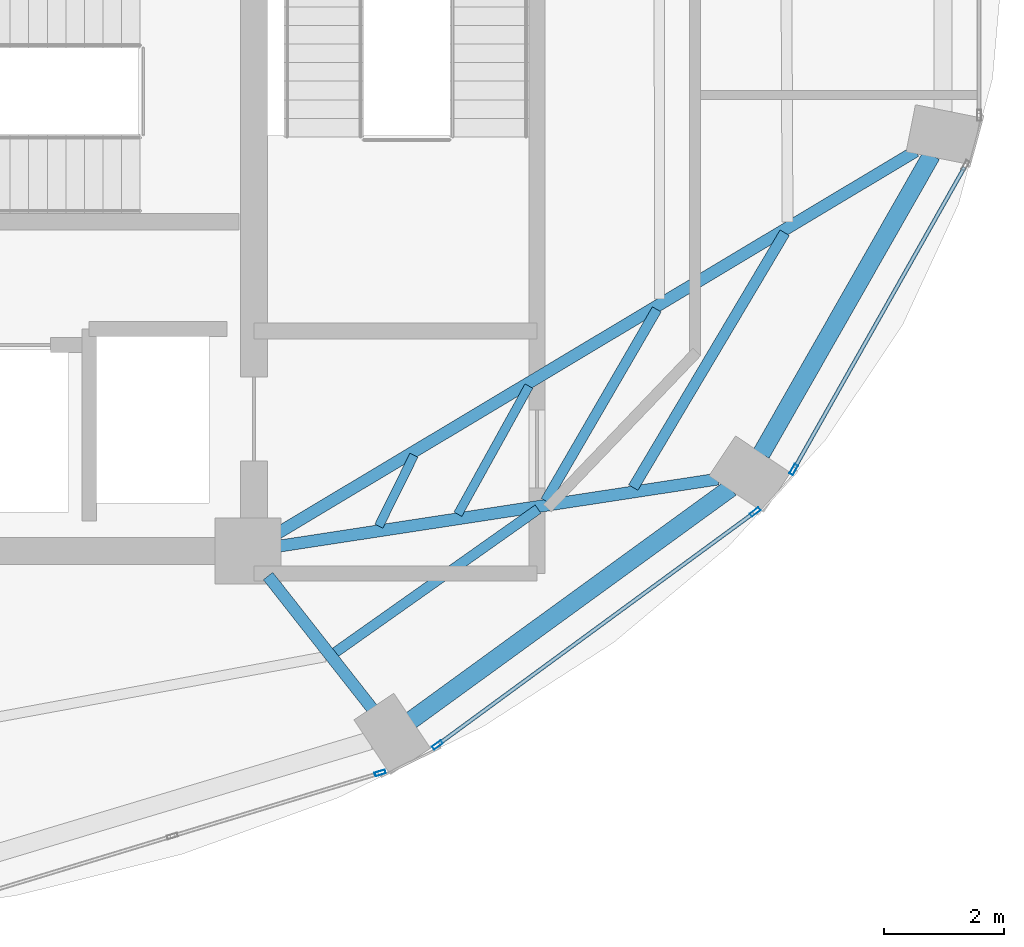
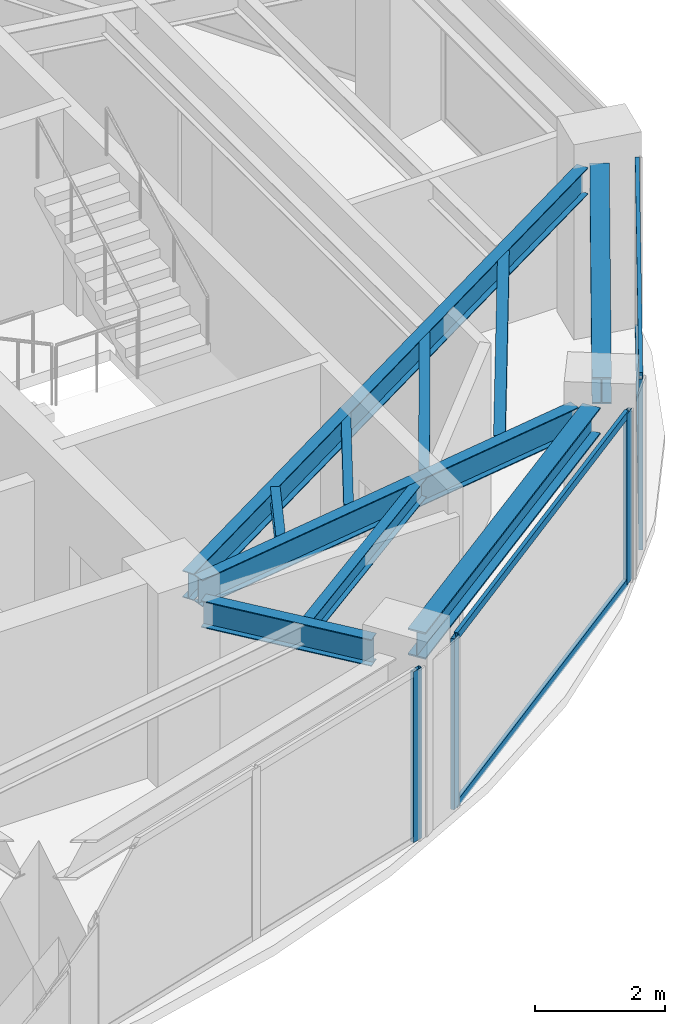
# One storey, part 13 of 22: 10 beams, 8 members, 3 elements without a shape of their own.
"""IFC4 building model written with IfcOpenShell, lengths in metres."""

from ifc_helpers import new_model, si_unit, direction, frame, origin, origin_2d, place, context, subcontext, project, spatial, hollow_rectangle, i_section, extrude, material, layer, layer_set, material_profile, profile_set, type_object, element, aggregate, save


model = new_model("IFC4")

# Units and contexts
model_context = context("Model", 3, precision=1e-05, world=origin(), true_north=direction((0.0, 1.0)))
body_context = subcontext(model_context, "Body", "Model", "MODEL_VIEW")
ifc_project = project(units=[si_unit("LENGTHUNIT", "METRE"), si_unit("AREAUNIT", "SQUARE_METRE"), si_unit("VOLUMEUNIT", "CUBIC_METRE"), si_unit("PLANEANGLEUNIT", "RADIAN"), si_unit("MASSUNIT", "GRAM", prefix="KILO")], contexts=[model_context])

# Site, building, storey
site_placement = place(None, origin())
site = spatial("IfcSite", under=ifc_project, at=site_placement, CompositionType="ELEMENT")
building_placement = place(site_placement, origin())
building = spatial("IfcBuilding", under=site, at=building_placement, Name="Lazwardi Medical Tower", CompositionType="ELEMENT")
storey_placement = place(building_placement, frame((0.0, 0.0, 242.256103515625)))
storey = spatial("IfcBuildingStorey", under=building, at=storey_placement, Name="L63", CompositionType="ELEMENT", Elevation=242.256103515625)

# Beams
ifc_material_1 = material(Name="Steel S355", Category="steel")
ifc_material_profile_1 = material_profile(ifc_material_1, i_section(OverallWidth=0.300048828125, OverallDepth=0.5, WebThickness=0.014404296875, FlangeThickness=0.028076171875, at=origin_2d()), Name="HEB 500")
ifc_profile_set_1 = profile_set([ifc_material_profile_1], Name="Steel S355")
beam_type_1 = type_object("IfcBeamType", Name="BM-RB-Z4", PredefinedType="BEAM", material=ifc_profile_set_1)
beam_1_placement = place(storey_placement, frame((48.31591796875, 17.5751953125, 2.947998046875), z_axis=(0.808889916254, 0.587960120571, 0.0), x_axis=(-0.587960120571, 0.808889916254, 0.0)))
element("IfcBeam", 1, at=beam_1_placement, inside=storey, type_object=beam_type_1, Name="Ring beam RB-05 B02 L63", PredefinedType="BEAM", context=body_context, shape_type="SweptSolid", body=[
    extrude(i_section(OverallWidth=0.300048828125, OverallDepth=0.5, WebThickness=0.014404296875, FlangeThickness=0.028076171875, at=origin_2d()), origin(), (0.0, 0.0, 1.0), 6.587158203125),
])
beam_2_placement = place(storey_placement, frame((54.15283203125, 22.016357421875, 2.947998046875), z_axis=(0.495125273299, 0.868821594886, 0.0), x_axis=(-0.868821594886, 0.495125273299, 0.0)))
element("IfcBeam", 2, at=beam_2_placement, inside=storey, type_object=beam_type_1, Name="Ring beam RB-05 B03 L63", PredefinedType="BEAM", context=body_context, shape_type="SweptSolid", body=[
    extrude(i_section(OverallWidth=0.300048828125, OverallDepth=0.5, WebThickness=0.014404296875, FlangeThickness=0.028076171875, at=origin_2d()), origin(), (0.0, 0.0, 1.0), 5.734130859375),
])
ifc_material_profile_2 = material_profile(ifc_material_1, i_section(OverallWidth=0.199951171875, OverallDepth=0.5, WebThickness=0.01025390625, FlangeThickness=0.01611328125, at=origin_2d()), Name="IPE 500")
ifc_profile_set_2 = profile_set([ifc_material_profile_2], Name="Steel S355")
beam_type_2 = type_object("IfcBeamType", Name="BM-RG-W3", PredefinedType="BEAM", material=ifc_profile_set_2)
beam_3_placement = place(storey_placement, frame((47.669677734375, 17.7666015625, 2.947998046875), z_axis=(-0.617890508382, 0.786264153864, 0.0), x_axis=(-0.786264153864, -0.617890508382, 0.0)))
element("IfcBeam", 3, at=beam_3_placement, inside=storey, type_object=beam_type_2, Name="Radial girder RG-04 R02 L63", PredefinedType="BEAM", context=body_context, shape_type="SweptSolid", body=[
    extrude(i_section(OverallWidth=0.199951171875, OverallDepth=0.5, WebThickness=0.01025390625, FlangeThickness=0.01611328125, at=origin_2d()), origin(), (0.0, 0.0, 1.0), 2.814453125),
])
beam_4_placement = place(storey_placement, frame((53.430908203125, 21.5966796875, 2.947998046875), z_axis=(-0.988522137285, -0.151076087115, 0.0), x_axis=(0.151076087115, -0.988522137285, 0.0)))
element("IfcBeam", 4, at=beam_4_placement, inside=storey, type_object=beam_type_2, Name="Radial girder RG-04 R03 L63", PredefinedType="BEAM", context=body_context, shape_type="SweptSolid", body=[
    extrude(i_section(OverallWidth=0.199951171875, OverallDepth=0.5, WebThickness=0.01025390625, FlangeThickness=0.01611328125, at=origin_2d()), origin(), (0.0, 0.0, 1.0), 7.38671875),
])
beam_5_placement = place(storey_placement, frame((56.72607421875, 27.062255859375, 2.947998046875), z_axis=(-0.857944804603, -0.513741873176, 0.0), x_axis=(0.513741873176, -0.857944804603, 0.0)))
element("IfcBeam", 5, at=beam_5_placement, inside=storey, type_object=beam_type_2, Name="Radial girder RG-04 R04 L63", PredefinedType="BEAM", context=body_context, shape_type="SweptSolid", body=[
    extrude(i_section(OverallWidth=0.199951171875, OverallDepth=0.5, WebThickness=0.01025390625, FlangeThickness=0.01611328125, at=origin_2d()), origin(), (0.0, 0.0, 1.0), 12.43310546875),
])
ifc_material_profile_3 = material_profile(ifc_material_1, i_section(OverallWidth=0.179931640625, OverallDepth=0.39990234375, WebThickness=0.008544921875, FlangeThickness=0.013427734375, at=origin_2d()), Name="IPE 400")
ifc_profile_set_3 = profile_set([ifc_material_profile_3], Name="Steel S355")
beam_type_3 = type_object("IfcBeamType", Name="BM-SJ-01", PredefinedType="JOIST", material=ifc_profile_set_3)
beam_6_placement = place(storey_placement, frame((52.01904296875, 21.455078125, 2.997802734375), z_axis=(0.510967866251, 0.859599813668, 0.0), x_axis=(-0.859599813668, 0.510967866251, 0.0)))
element("IfcBeam", 6, at=beam_6_placement, inside=storey, type_object=beam_type_3, Name="Secondary joist SJ-01 R1 B03 L63", PredefinedType="JOIST", context=body_context, shape_type="SweptSolid", body=[
    extrude(i_section(OverallWidth=0.179931640625, OverallDepth=0.39990234375, WebThickness=0.008544921875, FlangeThickness=0.013427734375, at=origin_2d()), origin(), (0.0, 0.0, 1.0), 4.94189453125),
])
ifc_material_profile_4 = material_profile(ifc_material_1, i_section(OverallWidth=0.169921875, OverallDepth=0.360107421875, WebThickness=0.008056640625, FlangeThickness=0.0126953125, at=origin_2d()), Name="IPE 360")
ifc_profile_set_4 = profile_set([ifc_material_profile_4], Name="Steel S355")
beam_type_4 = type_object("IfcBeamType", Name="BM-SJ-02", PredefinedType="JOIST", material=ifc_profile_set_4)
beam_7_placement = place(storey_placement, frame((47.051513671875, 18.70654296875, 3.017822265625), z_axis=(0.816711190406, 0.577046645832, 0.0), x_axis=(-0.577046645832, 0.816711190406, 0.0)))
element("IfcBeam", 7, at=beam_7_placement, inside=storey, type_object=beam_type_4, Name="Secondary joist SJ-02 R2 B02 L63", PredefinedType="JOIST", context=body_context, shape_type="SweptSolid", body=[
    extrude(i_section(OverallWidth=0.169921875, OverallDepth=0.360107421875, WebThickness=0.008056640625, FlangeThickness=0.0126953125, at=origin_2d()), origin(), (0.0, 0.0, 1.0), 4.139892578125),
])
beam_8_placement = place(storey_placement, frame((50.5576171875, 21.232421875, 3.017822265625), z_axis=(0.50218018565, 0.864763008657, 0.0), x_axis=(-0.864763008657, 0.50218018565, 0.0)))
element("IfcBeam", 8, at=beam_8_placement, inside=storey, type_object=beam_type_4, Name="Secondary joist SJ-02 R2 B03 L63", PredefinedType="JOIST", context=body_context, shape_type="SweptSolid", body=[
    extrude(i_section(OverallWidth=0.169921875, OverallDepth=0.360107421875, WebThickness=0.008056640625, FlangeThickness=0.0126953125, at=origin_2d()), origin(), (0.0, 0.0, 1.0), 3.69189453125),
])
ifc_material_profile_5 = material_profile(ifc_material_1, i_section(OverallWidth=0.14990234375, OverallDepth=0.300048828125, WebThickness=0.007080078125, FlangeThickness=0.0107421875, at=origin_2d()), Name="IPE 300")
ifc_profile_set_5 = profile_set([ifc_material_profile_5], Name="Steel S355")
beam_type_5 = type_object("IfcBeamType", Name="BM-SJ-03", PredefinedType="JOIST", material=ifc_profile_set_5)
beam_9_placement = place(storey_placement, frame((49.095703125, 21.01025390625, 3.0478515625), z_axis=(0.484751625998, 0.874651851363, 0.0), x_axis=(-0.874651851363, 0.484751625998, 0.0)))
element("IfcBeam", 9, at=beam_9_placement, inside=storey, type_object=beam_type_5, Name="Secondary joist SJ-03 R3 B03 L63", PredefinedType="JOIST", context=body_context, shape_type="SweptSolid", body=[
    extrude(i_section(OverallWidth=0.14990234375, OverallDepth=0.300048828125, WebThickness=0.007080078125, FlangeThickness=0.0107421875, at=origin_2d()), origin(), (0.0, 0.0, 1.0), 2.442626953125),
])
beam_10_placement = place(storey_placement, frame((47.777587890625, 20.811279296875, 3.0478515625), z_axis=(0.443587297772, 0.89623116954, 0.0), x_axis=(-0.89623116954, 0.443587297772, 0.0)))
element("IfcBeam", 10, at=beam_10_placement, inside=storey, type_object=beam_type_5, Name="Secondary joist SJ-03 R4 B03 L63", PredefinedType="JOIST", context=body_context, shape_type="SweptSolid", body=[
    extrude(i_section(OverallWidth=0.14990234375, OverallDepth=0.300048828125, WebThickness=0.007080078125, FlangeThickness=0.0107421875, at=origin_2d()), origin(), (0.0, 0.0, 1.0), 1.32080078125),
])

# Curtain wall, member
ifc_material_2 = material(Name="Anodised bronze aluminium and solar control glazing", Category="aluminium")
ifc_layer = layer(ifc_material_2, 0.18994140625)
ifc_layer_set = layer_set([ifc_layer], Name="Anodised bronze aluminium and solar control glazing")
curtain_wall_type = type_object("IfcCurtainWallType", Name="CW-SYS-04", PredefinedType="NOTDEFINED", material=ifc_layer_set)
curtain_wall_1_placement = place(storey_placement, origin())
curtain_wall_1 = element("IfcCurtainWall", 11, at=curtain_wall_1_placement, inside=storey, type_object=curtain_wall_type, Name="L63 Unitised bronze curtain wall CW-04", PredefinedType="NOTDEFINED")
ifc_material_3 = material(Name="Anodised bronze aluminium", Category="aluminium")
ifc_material_profile_6 = material_profile(ifc_material_3, hollow_rectangle(XDim=0.06494140625, YDim=0.179931640625, WallThickness=0.00390625, at=origin_2d()), Name="ALU-MULLION 180x65x4")
ifc_profile_set_6 = profile_set([ifc_material_profile_6], Name="Anodised bronze aluminium")
member_type_1 = type_object("IfcMemberType", Name="CW-MUL-03", PredefinedType="MULLION", material=ifc_profile_set_6)
member_1_placement = place(storey_placement, frame((47.7998046875, 16.696533203125, 0.0), z_axis=(0.0, 0.0, 1.0), x_axis=(-0.290581889515, 0.956850126972, 0.0)))
member_1 = element("IfcMember", 12, at=member_1_placement, type_object=member_type_1, Name="CW-04 mullion 3", PredefinedType="MULLION", context=body_context, shape_type="SweptSolid", body=[
    extrude(hollow_rectangle(XDim=0.06494140625, YDim=0.179931640625, WallThickness=0.00390625, at=origin_2d()), origin(), (0.0, 0.0, 1.0), 3.197998046875),
])
aggregate(curtain_wall_1, [member_1])

# Curtain wall, members
curtain_wall_2_placement = place(storey_placement, origin())
curtain_wall_2 = element("IfcCurtainWall", 13, at=curtain_wall_2_placement, inside=storey, type_object=curtain_wall_type, Name="L63 Unitised bronze curtain wall CW-04", PredefinedType="NOTDEFINED")
member_2_placement = place(storey_placement, frame((48.75537109375, 17.1650390625, 0.0), z_axis=(0.0, 0.0, 1.0), x_axis=(-0.591268230971, 0.806474971121, 0.0)))
member_2 = element("IfcMember", 14, at=member_2_placement, type_object=member_type_1, Name="CW-04 mullion 1", PredefinedType="MULLION", context=body_context, shape_type="SweptSolid", body=[
    extrude(hollow_rectangle(XDim=0.06494140625, YDim=0.179931640625, WallThickness=0.00390625, at=origin_2d()), origin(), (0.0, 0.0, 1.0), 3.197998046875),
])
member_3_placement = place(storey_placement, frame((54.052001953125, 21.04833984375, 0.0), z_axis=(0.0, 0.0, 1.0), x_axis=(-0.591268230971, 0.806474971121, 0.0)))
member_3 = element("IfcMember", 15, at=member_3_placement, type_object=member_type_1, Name="CW-04 mullion 2", PredefinedType="MULLION", context=body_context, shape_type="SweptSolid", body=[
    extrude(hollow_rectangle(XDim=0.06494140625, YDim=0.179931640625, WallThickness=0.00390625, at=origin_2d()), origin(), (0.0, 0.0, 1.0), 3.197998046875),
])

# Curtain wall, member
curtain_wall_3_placement = place(storey_placement, origin())
curtain_wall_3 = element("IfcCurtainWall", 16, at=curtain_wall_3_placement, inside=storey, type_object=curtain_wall_type, Name="L63 Unitised bronze curtain wall CW-04", PredefinedType="NOTDEFINED")
member_4_placement = place(storey_placement, frame((54.6943359375, 21.75439453125, 0.0), z_axis=(0.0, 0.0, 1.0), x_axis=(-0.870651436011, 0.491900474661, 0.0)))
member_4 = element("IfcMember", 17, at=member_4_placement, type_object=member_type_1, Name="CW-04 mullion 1", PredefinedType="MULLION", context=body_context, shape_type="SweptSolid", body=[
    extrude(hollow_rectangle(XDim=0.06494140625, YDim=0.179931640625, WallThickness=0.00390625, at=origin_2d()), origin(), (0.0, 0.0, 1.0), 3.197998046875),
])

# Member
ifc_material_profile_7 = material_profile(ifc_material_3, hollow_rectangle(XDim=0.06494140625, YDim=0.139892578125, WallThickness=0.00341796875, at=origin_2d()), Name="ALU-TRANSOM 140x65x3.5")
ifc_profile_set_7 = profile_set([ifc_material_profile_7], Name="Anodised bronze aluminium")
member_type_2 = type_object("IfcMemberType", Name="CW-TRN-03", PredefinedType="USERDEFINED", material=ifc_profile_set_7)
member_5_placement = place(storey_placement, frame((48.781494140625, 17.184326171875, 0.032470703125), z_axis=(0.80648973359, 0.591248094808, 0.0), x_axis=(-0.591248094808, 0.80648973359, 0.0)))
member_5 = element("IfcMember", 18, at=member_5_placement, type_object=member_type_2, Name="CW-04 transom 1.1", ObjectType="TRANSOM", PredefinedType="USERDEFINED", context=body_context, shape_type="SweptSolid", body=[
    extrude(hollow_rectangle(XDim=0.06494140625, YDim=0.139892578125, WallThickness=0.00341796875, at=origin_2d()), origin(), (0.0, 0.0, 1.0), 6.502685546875),
])

member_6_placement = place(storey_placement, frame((48.781494140625, 17.184326171875, 3.165283203125), z_axis=(0.80648973359, 0.591248094808, 0.0), x_axis=(-0.591248094808, 0.80648973359, 0.0)))
member_6 = element("IfcMember", 19, at=member_6_placement, type_object=member_type_2, Name="CW-04 transom 1.2", ObjectType="TRANSOM", PredefinedType="USERDEFINED", context=body_context, shape_type="SweptSolid", body=[
    extrude(hollow_rectangle(XDim=0.06494140625, YDim=0.139892578125, WallThickness=0.00341796875, at=origin_2d()), origin(), (0.0, 0.0, 1.0), 6.502685546875),
])

aggregate(curtain_wall_2, [member_2, member_3, member_5, member_6])

member_7_placement = place(storey_placement, frame((54.71044921875, 21.78271484375, 0.032470703125), z_axis=(0.491879719484, 0.87066316194, 0.0), x_axis=(-0.87066316194, 0.491879719484, 0.0)))
member_7 = element("IfcMember", 20, at=member_7_placement, type_object=member_type_2, Name="CW-04 transom 1.1", ObjectType="TRANSOM", PredefinedType="USERDEFINED", context=body_context, shape_type="SweptSolid", body=[
    extrude(hollow_rectangle(XDim=0.06494140625, YDim=0.139892578125, WallThickness=0.00341796875, at=origin_2d()), origin(), (0.0, 0.0, 1.0), 5.755126953125),
])

member_8_placement = place(storey_placement, frame((54.71044921875, 21.78271484375, 3.165283203125), z_axis=(0.491879719484, 0.87066316194, 0.0), x_axis=(-0.87066316194, 0.491879719484, 0.0)))
member_8 = element("IfcMember", 21, at=member_8_placement, type_object=member_type_2, Name="CW-04 transom 1.2", ObjectType="TRANSOM", PredefinedType="USERDEFINED", context=body_context, shape_type="SweptSolid", body=[
    extrude(hollow_rectangle(XDim=0.06494140625, YDim=0.139892578125, WallThickness=0.00341796875, at=origin_2d()), origin(), (0.0, 0.0, 1.0), 5.755126953125),
])

aggregate(curtain_wall_3, [member_4, member_7, member_8])

save(model, "model.ifc")
